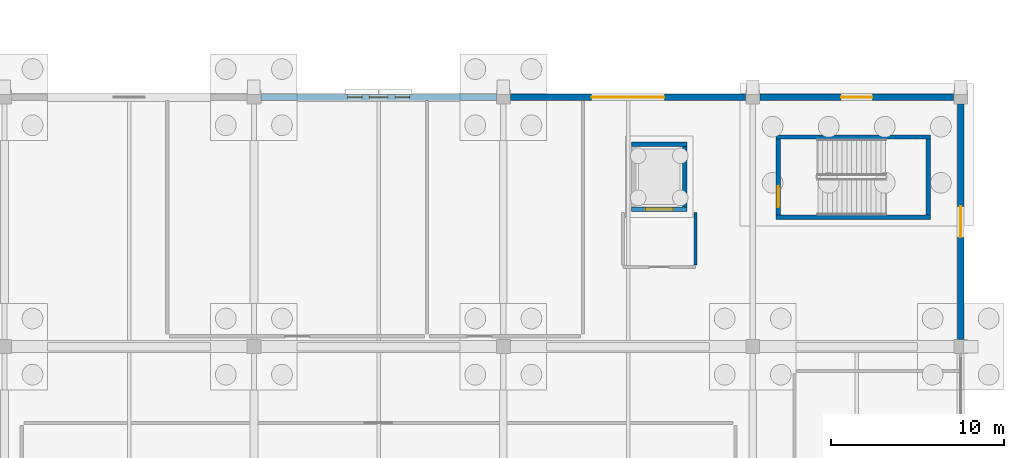
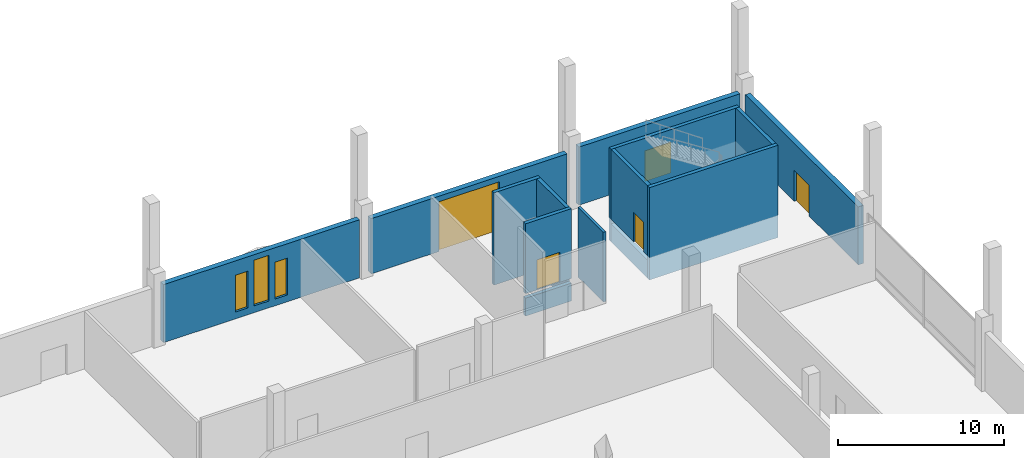
# One storey, part 153 of 192: 14 walls, 5 doors, 3 windows, 8 openings.
"""IFC4 building model written with IfcOpenShell, lengths in metres."""

from ifc_helpers import new_model, si_unit, direction, frame, frame_2d, origin, place, context, subcontext, project, spatial, rectangle, extrude, material, layer, layer_set, type_object, element, fill, save


model = new_model("IFC4")

# Units and contexts
model_context = context("Model", 3, precision=1e-05, world=origin(), true_north=direction((0.0, 1.0)))
body_context = subcontext(model_context, "Body", "Model", "MODEL_VIEW")
ifc_project = project(units=[si_unit("LENGTHUNIT", "METRE"), si_unit("AREAUNIT", "SQUARE_METRE"), si_unit("VOLUMEUNIT", "CUBIC_METRE"), si_unit("PLANEANGLEUNIT", "RADIAN"), si_unit("MASSUNIT", "GRAM", prefix="KILO")], contexts=[model_context])

# Site, building, storey
site_placement = place(None, origin())
site = spatial("IfcSite", under=ifc_project, at=site_placement, CompositionType="ELEMENT")
building_placement = place(site_placement, origin())
building = spatial("IfcBuilding", under=site, at=building_placement, Name="Cendralis Lancet Convention Centre", CompositionType="ELEMENT")
storey_placement = place(building_placement, origin())
storey = spatial("IfcBuildingStorey", under=building, at=storey_placement, Name="L00", CompositionType="ELEMENT", Elevation=0.0)

# Wall, openings, windows
ifc_material_1 = material(Name="Buff sandstone ashlar and Concrete G40 (C40/50)", Category="masonry")
ifc_layer_1 = layer(ifc_material_1, 0.360107421875, Name="Buff sandstone ashlar and Concrete G40 (C40/50)")
ifc_layer_set_1 = layer_set([ifc_layer_1], Name="Buff sandstone ashlar and Concrete G40 (C40/50)")
wall_type_1 = type_object("IfcWallType", Name="ARC-EW-W360", PredefinedType="STANDARD", material=ifc_layer_set_1)
wall_1_placement = place(storey_placement, frame((168.407958984375, 136.800048828125, 0.0), z_axis=(0.0, 0.0, 1.0), x_axis=(1.0, 0.0, 0.0)))
wall_1 = element("IfcWall", 1, at=wall_1_placement, inside=storey, type_object=wall_type_1, Name="L00 V3 Exterior Wall EW-04 #0130", PredefinedType="STANDARD", context=body_context, shape_type="SweptSolid", body=[
    extrude(rectangle(XDim=13.583984375, YDim=0.360107421875, at=frame_2d((6.7919921875, 0.0))), origin(), (0.0, 0.0, 1.0), 4.2548828125),
])
opening_1_placement = place(wall_1_placement, frame((5.001953125, 0.0, 0.5)))
opening_1 = element("IfcOpeningElement", 2, at=opening_1_placement, cuts=wall_1, Name="Opening WN-15", PredefinedType="OPENING", context=body_context, shape_type="SweptSolid", body=[
    extrude(rectangle(XDim=0.840087890625, YDim=2.699951171875, at=frame_2d((0.419921875, 1.35009765625))), frame((0.0, 0.18994140625, 0.0), z_axis=(0.0, -1.0, 0.0), x_axis=(1.0, 0.0, 0.0)), (0.0, 0.0, 1.0), 0.380126953125),
])
opening_2_placement = place(wall_1_placement, frame((6.261962890625, 0.0, 0.5)))
opening_2 = element("IfcOpeningElement", 3, at=opening_2_placement, cuts=wall_1, Name="Opening WN-11", PredefinedType="OPENING", context=body_context, shape_type="SweptSolid", body=[
    extrude(rectangle(XDim=1.06005859375, YDim=3.35009765625, at=frame_2d((0.530029296875, 1.675048828125))), frame((0.0, 0.18994140625, 0.0), z_axis=(0.0, -1.0, 0.0), x_axis=(1.0, 0.0, 0.0)), (0.0, 0.0, 1.0), 0.380126953125),
])
opening_3_placement = place(wall_1_placement, frame((7.741943359375, 0.0, 0.5)))
opening_3 = element("IfcOpeningElement", 4, at=opening_3_placement, cuts=wall_1, Name="Opening WN-15", PredefinedType="OPENING", context=body_context, shape_type="SweptSolid", body=[
    extrude(rectangle(XDim=0.840087890625, YDim=2.699951171875, at=frame_2d((0.419921875, 1.35009765625))), frame((0.0, 0.18994140625, 0.0), z_axis=(0.0, -1.0, 0.0), x_axis=(1.0, 0.0, 0.0)), (0.0, 0.0, 1.0), 0.380126953125),
])
ifc_material_2 = material(Name="Double-glazed low-E solar-control glass", Category="glass")
window_type_1 = type_object("IfcWindowType", Name="ARC-WN-LW11", PartitioningType="SINGLE_PANEL", PredefinedType="WINDOW", material=ifc_material_2)
window_1_placement = place(opening_2_placement, origin())
window_1 = element("IfcWindow", 5, at=window_1_placement, inside=storey, type_object=window_type_1, Name="Gothic Lancet Window WN-11 #0250", OverallHeight=3.35009765625, OverallWidth=1.06005859375, PartitioningType="SINGLE_PANEL", PredefinedType="WINDOW", context=body_context, shape_type="SweptSolid", body=[
    extrude(rectangle(XDim=1.06005859375, YDim=3.35009765625, at=frame_2d((0.530029296875, 1.675048828125))), frame((0.0, 0.030029296875, 0.0), z_axis=(0.0, -1.0, 0.0), x_axis=(1.0, 0.0, 0.0)), (0.0, 0.0, 1.0), 0.06005859375),
])
fill(opening_2, window_1)
window_type_2 = type_object("IfcWindowType", Name="ARC-WN-LW15", PartitioningType="SINGLE_PANEL", PredefinedType="WINDOW", material=ifc_material_2)
window_2_placement = place(opening_1_placement, origin())
window_2 = element("IfcWindow", 6, at=window_2_placement, inside=storey, type_object=window_type_2, Name="Gothic Lancet Window WN-15 #0249", OverallHeight=2.699951171875, OverallWidth=0.840087890625, PartitioningType="SINGLE_PANEL", PredefinedType="WINDOW", context=body_context, shape_type="SweptSolid", body=[
    extrude(rectangle(XDim=0.840087890625, YDim=2.699951171875, at=frame_2d((0.419921875, 1.35009765625))), frame((0.0, 0.030029296875, 0.0), z_axis=(0.0, -1.0, 0.0), x_axis=(1.0, 0.0, 0.0)), (0.0, 0.0, 1.0), 0.06005859375),
])
fill(opening_1, window_2)
window_3_placement = place(opening_3_placement, origin())
window_3 = element("IfcWindow", 7, at=window_3_placement, inside=storey, type_object=window_type_2, Name="Gothic Lancet Window WN-15 #0251", OverallHeight=2.699951171875, OverallWidth=0.840087890625, PartitioningType="SINGLE_PANEL", PredefinedType="WINDOW", context=body_context, shape_type="SweptSolid", body=[
    extrude(rectangle(XDim=0.840087890625, YDim=2.699951171875, at=frame_2d((0.419921875, 1.35009765625))), frame((0.0, 0.030029296875, 0.0), z_axis=(0.0, -1.0, 0.0), x_axis=(1.0, 0.0, 0.0)), (0.0, 0.0, 1.0), 0.06005859375),
])
fill(opening_3, window_3)

# Wall, opening, door
wall_2_placement = place(storey_placement, frame((182.80810546875, 136.800048828125, 0.0), z_axis=(0.0, 0.0, 1.0), x_axis=(1.0, 0.0, 0.0)))
wall_2 = element("IfcWall", 8, at=wall_2_placement, inside=storey, type_object=wall_type_1, Name="L00 V3 Exterior Wall EW-04 #0131", PredefinedType="STANDARD", context=body_context, shape_type="SweptSolid", body=[
    extrude(rectangle(XDim=13.583984375, YDim=0.360107421875, at=frame_2d((6.7919921875, 0.0))), origin(), (0.0, 0.0, 1.0), 4.050048828125),
])
opening_4_placement = place(wall_2_placement, frame((4.69189453125, 0.0, 0.0)))
opening_4 = element("IfcOpeningElement", 9, at=opening_4_placement, cuts=wall_2, Name="Opening SH-42", PredefinedType="OPENING", context=body_context, shape_type="SweptSolid", body=[
    extrude(rectangle(XDim=4.199951171875, YDim=3.64990234375, at=frame_2d((2.10009765625, 1.824951171875))), frame((0.0, 0.18994140625, 0.0), z_axis=(0.0, -1.0, 0.0), x_axis=(1.0, 0.0, 0.0)), (0.0, 0.0, 1.0), 0.380126953125),
])
ifc_material_3 = material(Name="Steel S355", Category="steel")
door_type_1 = type_object("IfcDoorType", Name="ARC-DR-SH42", OperationType="ROLLINGUP", PredefinedType="USERDEFINED", material=ifc_material_3)
door_1_placement = place(opening_4_placement, origin())
door_1 = element("IfcDoor", 10, at=door_1_placement, inside=storey, type_object=door_type_1, Name="L00-D037 Service Shutter #037", ObjectType="SHUTTER", OperationType="ROLLINGUP", OverallHeight=3.64990234375, OverallWidth=4.199951171875, PredefinedType="USERDEFINED", context=body_context, shape_type="SweptSolid", body=[
    extrude(rectangle(XDim=4.199951171875, YDim=3.64990234375, at=frame_2d((2.10009765625, 1.824951171875))), frame((0.0, 0.02490234375, 0.0), z_axis=(0.0, -1.0, 0.0), x_axis=(1.0, 0.0, 0.0)), (0.0, 0.0, 1.0), 0.050048828125),
])
fill(opening_4, door_1)

wall_3_placement = place(storey_placement, frame((197.2080078125, 136.800048828125, 0.0), z_axis=(0.0, 0.0, 1.0), x_axis=(1.0, 0.0, 0.0)))
wall_3 = element("IfcWall", 11, at=wall_3_placement, inside=storey, type_object=wall_type_1, Name="L00 V3 Exterior Wall EW-04 #0132", PredefinedType="STANDARD", context=body_context, shape_type="SweptSolid", body=[
    extrude(rectangle(XDim=11.18408203125, YDim=0.360107421875, at=frame_2d((5.592041015625, 0.0))), origin(), (0.0, 0.0, 1.0), 4.2548828125),
])
opening_5_placement = place(wall_3_placement, frame((4.69189453125, 0.0, 0.0)))
opening_5 = element("IfcOpeningElement", 12, at=opening_5_placement, cuts=wall_3, Name="Opening EX-D1", PredefinedType="OPENING", context=body_context, shape_type="SweptSolid", body=[
    extrude(rectangle(XDim=1.800048828125, YDim=2.25, at=frame_2d((0.89990234375, 1.125))), frame((0.0, 0.18994140625, 0.0), z_axis=(0.0, -1.0, 0.0), x_axis=(1.0, 0.0, 0.0)), (0.0, 0.0, 1.0), 0.380126953125),
])
ifc_material_4 = material(Name="Anodised bronze architectural aluminium", Category="aluminium")
door_type_2 = type_object("IfcDoorType", Name="ARC-DR-EX18", OperationType="NOTDEFINED", PredefinedType="DOOR", material=ifc_material_4)
door_2_placement = place(opening_5_placement, origin())
door_2 = element("IfcDoor", 13, at=door_2_placement, inside=storey, type_object=door_type_2, Name="L00-D038 Pedestrian Final Exit Door EX-38 #038", OperationType="DOUBLE_DOOR_SINGLE_SWING", OverallHeight=2.25, OverallWidth=1.800048828125, PredefinedType="DOOR", context=body_context, shape_type="SweptSolid", body=[
    extrude(rectangle(XDim=1.800048828125, YDim=2.25, at=frame_2d((0.89990234375, 1.125))), frame((0.0, 0.02490234375, 0.0), z_axis=(0.0, -1.0, 0.0), x_axis=(1.0, 0.0, 0.0)), (0.0, 0.0, 1.0), 0.050048828125),
])
fill(opening_5, door_2)

wall_4_placement = place(storey_placement, frame((208.800048828125, 136.39208984375, 0.0), z_axis=(0.0, 0.0, 1.0), x_axis=(0.0, -1.0, 0.0)))
wall_4 = element("IfcWall", 14, at=wall_4_placement, inside=storey, type_object=wall_type_1, Name="L00 V3 Exterior Wall EW-04 #0144", PredefinedType="STANDARD", context=body_context, shape_type="SweptSolid", body=[
    extrude(rectangle(XDim=13.583984375, YDim=0.360107421875, at=frame_2d((6.7919921875, 0.0))), origin(), (0.0, 0.0, 1.0), 4.2548828125),
])
opening_6_placement = place(wall_4_placement, frame((5.89208984375, 0.0, 0.0)))
opening_6 = element("IfcOpeningElement", 15, at=opening_6_placement, cuts=wall_4, Name="Opening EX-D1", PredefinedType="OPENING", context=body_context, shape_type="SweptSolid", body=[
    extrude(rectangle(XDim=1.800048828125, YDim=2.25, at=frame_2d((0.89990234375, 1.125))), frame((0.0, 0.18994140625, 0.0), z_axis=(0.0, -1.0, 0.0), x_axis=(1.0, 0.0, 0.0)), (0.0, 0.0, 1.0), 0.380126953125),
])
door_3_placement = place(opening_6_placement, origin())
door_3 = element("IfcDoor", 16, at=door_3_placement, inside=storey, type_object=door_type_2, Name="L00-D042 Pedestrian Final Exit Door EX-42 #042", OperationType="DOUBLE_DOOR_SINGLE_SWING", OverallHeight=2.25, OverallWidth=1.800048828125, PredefinedType="DOOR", context=body_context, shape_type="SweptSolid", body=[
    extrude(rectangle(XDim=1.800048828125, YDim=2.25, at=frame_2d((0.89990234375, 1.125))), frame((0.0, 0.02490234375, 0.0), z_axis=(0.0, -1.0, 0.0), x_axis=(1.0, 0.0, 0.0)), (0.0, 0.0, 1.0), 0.050048828125),
])
fill(opening_6, door_3)

# Walls
ifc_material_5 = material(Name="Acoustic fire-rated gypsum board on steel studs", Category="steel")
ifc_layer_2 = layer(ifc_material_5, 0.179931640625, Name="Acoustic fire-rated gypsum board on steel studs")
ifc_layer_set_2 = layer_set([ifc_layer_2], Name="Acoustic fire-rated gypsum board on steel studs")
wall_type_2 = type_object("IfcWallType", Name="ARC-IW-P180", PredefinedType="PARTITIONING", material=ifc_layer_set_2)
wall_5_placement = place(storey_placement, frame((193.5, 127.10009765625, 0.0), z_axis=(0.0, 0.0, 1.0), x_axis=(0.0, 1.0, 0.0)))
element("IfcWall", 17, at=wall_5_placement, inside=storey, type_object=wall_type_2, Name="L00 Lift Lobby LG-03 East Wall", PredefinedType="PARTITIONING", context=body_context, shape_type="SweptSolid", body=[
    extrude(rectangle(XDim=3.0498046875, YDim=0.179931640625, at=frame_2d((1.52490234375, 0.0))), origin(), (0.0, 0.0, 1.0), 5.1201171875),
])
ifc_material_6 = material(Name="Concrete G40 (C40/50)", Category="concrete")
ifc_layer_3 = layer(ifc_material_6, 0.25, Name="Concrete G40 (C40/50)")
ifc_layer_set_3 = layer_set([ifc_layer_3], Name="Concrete G40 (C40/50)")
wall_type_3 = type_object("IfcWallType", Name="STR-SW-CW250", PredefinedType="SHEAR", material=ifc_layer_set_3)
wall_6_placement = place(storey_placement, frame((198.27490234375, 130.0, -1.64990234375), z_axis=(0.0, 0.0, 1.0), x_axis=(0.0, 1.0, 0.0)))
element("IfcWall", 18, at=wall_6_placement, inside=storey, type_object=wall_type_3, Name="L00 Stair Core ST-06 West Base Stem", PredefinedType="SHEAR", context=body_context, shape_type="SweptSolid", body=[
    extrude(rectangle(XDim=4.3798828125, YDim=0.25, at=frame_2d((2.18994140625, 0.0))), origin(), (0.0, 0.0, 1.0), 1.309814453125),
])

# Wall, opening, door
wall_7_placement = place(storey_placement, frame((198.27490234375, 130.0, 0.0), z_axis=(0.0, 0.0, 1.0), x_axis=(0.0, 1.0, 0.0)))
wall_7 = element("IfcWall", 19, at=wall_7_placement, inside=storey, type_object=wall_type_3, Name="L00 Stair Core ST-06 West Shear Wall", PredefinedType="SHEAR", context=body_context, shape_type="SweptSolid", body=[
    extrude(rectangle(XDim=4.3798828125, YDim=0.25, at=frame_2d((2.18994140625, 0.0))), origin(), (0.0, 0.0, 1.0), 5.1201171875),
])
opening_7_placement = place(wall_7_placement, frame((0.449951171875, 0.0, 0.0)))
opening_7 = element("IfcOpeningElement", 20, at=opening_7_placement, cuts=wall_7, Name="Opening SD-12", PredefinedType="OPENING", context=body_context, shape_type="SweptSolid", body=[
    extrude(rectangle(XDim=1.199951171875, YDim=2.14990234375, at=frame_2d((0.60009765625, 1.074951171875))), frame((0.0, 0.135009765625, 0.0), z_axis=(0.0, -1.0, 0.0), x_axis=(1.0, 0.0, 0.0)), (0.0, 0.0, 1.0), 0.27001953125),
])
door_type_3 = type_object("IfcDoorType", Name="ARC-DR-ST12", OperationType="NOTDEFINED", PredefinedType="DOOR", material=ifc_material_3)
door_4_placement = place(opening_7_placement, origin())
door_4 = element("IfcDoor", 21, at=door_4_placement, inside=storey, type_object=door_type_3, Name="L00-D123 L00 Exit Stair ST-06 Fire Door", OperationType="SINGLE_SWING_RIGHT", OverallHeight=2.14990234375, OverallWidth=1.199951171875, PredefinedType="DOOR", context=body_context, shape_type="SweptSolid", body=[
    extrude(rectangle(XDim=1.199951171875, YDim=2.14990234375, at=frame_2d((0.60009765625, 1.074951171875))), frame((0.0, 0.02490234375, 0.0), z_axis=(0.0, -1.0, 0.0), x_axis=(1.0, 0.0, 0.0)), (0.0, 0.0, 1.0), 0.050048828125),
])
fill(opening_7, door_4)

# Walls
wall_8_placement = place(storey_placement, frame((206.925048828125, 130.0, -1.64990234375), z_axis=(0.0, 0.0, 1.0), x_axis=(0.0, 1.0, 0.0)))
element("IfcWall", 22, at=wall_8_placement, inside=storey, type_object=wall_type_3, Name="L00 Stair Core ST-06 East Shear Wall", PredefinedType="SHEAR", context=body_context, shape_type="SweptSolid", body=[
    extrude(rectangle(XDim=4.3798828125, YDim=0.25, at=frame_2d((2.18994140625, 0.0))), origin(), (0.0, 0.0, 1.0), 6.77001953125),
])
for number, where, z_axis, x_axis, name in (
    (23, (198.14990234375, 129.875, -1.64990234375), (0.0, 0.0, 1.0), (1.0, 0.0, 0.0), "L00 Stair Core ST-06 South Shear Wall"),
    (24, (198.14990234375, 134.5048828125, -1.64990234375), (0.0, 0.0, 1.0), (1.0, 0.0, 0.0), "L00 Stair Core ST-06 North Shear Wall"),
):
    element("IfcWall", number, at=place(storey_placement, frame(where, z_axis=z_axis, x_axis=x_axis)), inside=storey, type_object=wall_type_3, Name=name, PredefinedType="SHEAR", context=body_context, shape_type="SweptSolid", body=[
        extrude(rectangle(XDim=8.900146484375, YDim=0.25, at=frame_2d((4.4501953125, 0.0))), origin(), (0.0, 0.0, 1.0), 6.77001953125),
    ])
wall_9_placement = place(storey_placement, frame((189.800048828125, 130.324951171875, -1.64990234375), z_axis=(0.0, 0.0, 1.0), x_axis=(1.0, 0.0, 0.0)))
element("IfcWall", 25, at=wall_9_placement, inside=storey, type_object=wall_type_3, Name="L00 Lift LG-03 Base Stem", PredefinedType="SHEAR", context=body_context, shape_type="SweptSolid", body=[
    extrude(rectangle(XDim=3.199951171875, YDim=0.25, at=frame_2d((1.60009765625, 0.0))), origin(), (0.0, 0.0, 1.0), 1.309814453125),
])

# Wall, opening, door
wall_10_placement = place(storey_placement, frame((189.800048828125, 130.324951171875, 0.0), z_axis=(0.0, 0.0, 1.0), x_axis=(1.0, 0.0, 0.0)))
wall_10 = element("IfcWall", 26, at=wall_10_placement, inside=storey, type_object=wall_type_3, Name="L00 Lift LG-03 South Shaft Wall", PredefinedType="SHEAR", context=body_context, shape_type="SweptSolid", body=[
    extrude(rectangle(XDim=3.199951171875, YDim=0.25, at=frame_2d((1.60009765625, 0.0))), origin(), (0.0, 0.0, 1.0), 5.1201171875),
])
opening_8_placement = place(wall_10_placement, frame((0.800048828125, 0.0, 0.0)))
opening_8 = element("IfcOpeningElement", 27, at=opening_8_placement, cuts=wall_10, Name="Opening LD-16", PredefinedType="OPENING", context=body_context, shape_type="SweptSolid", body=[
    extrude(rectangle(XDim=1.60009765625, YDim=2.199951171875, at=frame_2d((0.800048828125, 1.10009765625))), frame((0.0, 0.135009765625, 0.0), z_axis=(0.0, -1.0, 0.0), x_axis=(1.0, 0.0, 0.0)), (0.0, 0.0, 1.0), 0.27001953125),
])
door_type_4 = type_object("IfcDoorType", Name="ARC-DR-LD16", OperationType="NOTDEFINED", PredefinedType="DOOR", material=ifc_material_3)
door_5_placement = place(opening_8_placement, origin())
door_5 = element("IfcDoor", 28, at=door_5_placement, inside=storey, type_object=door_type_4, Name="L00-D094 L00 Lift LG-03 Sliding Landing Door", OperationType="SLIDING_TO_RIGHT", OverallHeight=2.199951171875, OverallWidth=1.60009765625, PredefinedType="DOOR", context=body_context, shape_type="SweptSolid", body=[
    extrude(rectangle(XDim=1.60009765625, YDim=2.199951171875, at=frame_2d((0.800048828125, 1.10009765625))), frame((0.0, 0.02490234375, 0.0), z_axis=(0.0, -1.0, 0.0), x_axis=(1.0, 0.0, 0.0)), (0.0, 0.0, 1.0), 0.050048828125),
])
fill(opening_8, door_5)

# Walls
wall_11_placement = place(storey_placement, frame((189.800048828125, 134.074951171875, -1.64990234375), z_axis=(0.0, 0.0, 1.0), x_axis=(1.0, 0.0, 0.0)))
element("IfcWall", 29, at=wall_11_placement, inside=storey, type_object=wall_type_3, Name="L00 Lift LG-03 North Shaft Wall", PredefinedType="SHEAR", context=body_context, shape_type="SweptSolid", body=[
    extrude(rectangle(XDim=3.199951171875, YDim=0.25, at=frame_2d((1.60009765625, 0.0))), origin(), (0.0, 0.0, 1.0), 6.77001953125),
])
wall_12_placement = place(storey_placement, frame((192.875, 130.449951171875, -1.64990234375), z_axis=(0.0, 0.0, 1.0), x_axis=(0.0, 1.0, 0.0)))
element("IfcWall", 30, at=wall_12_placement, inside=storey, type_object=wall_type_3, Name="L00 Lift LG-03 East Shaft Wall", PredefinedType="SHEAR", context=body_context, shape_type="SweptSolid", body=[
    extrude(rectangle(XDim=3.5, YDim=0.25, at=frame_2d((1.75, 0.0))), origin(), (0.0, 0.0, 1.0), 6.77001953125),
])

save(model, "model.ifc")
